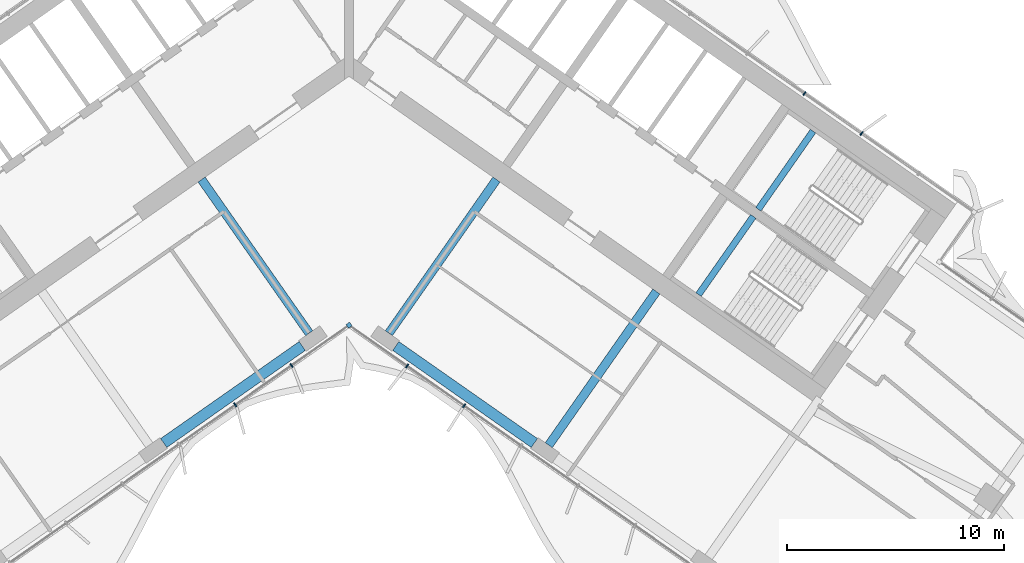
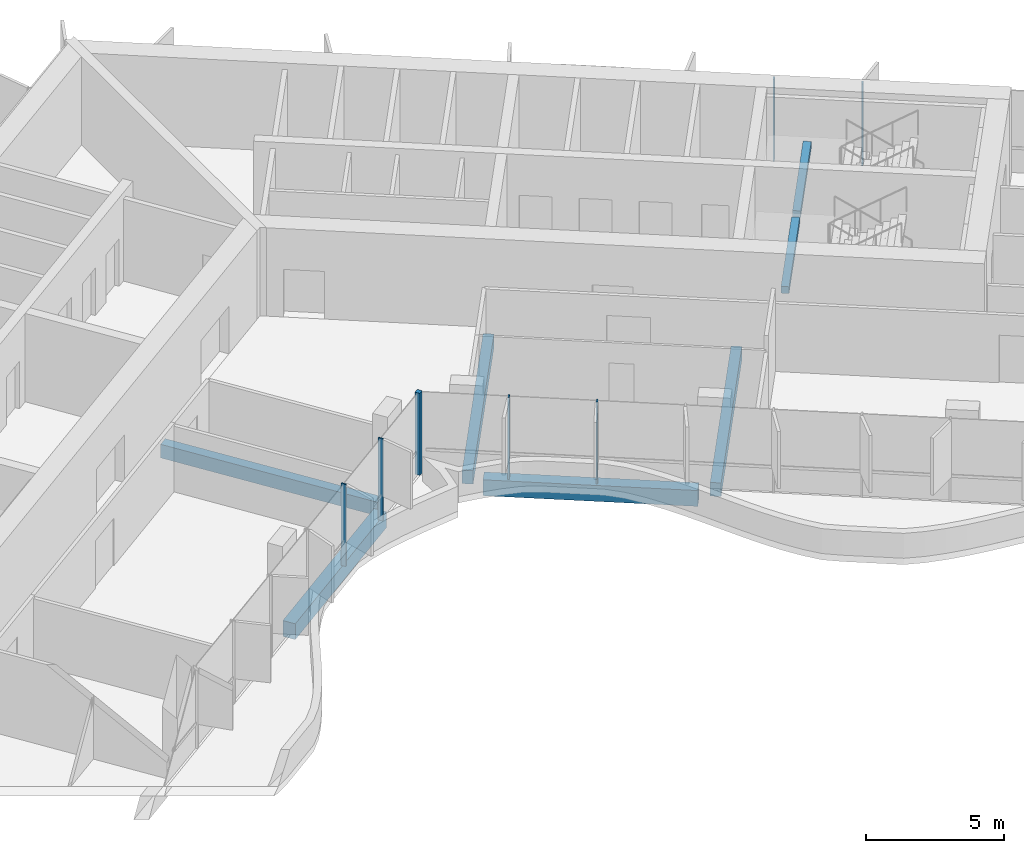
# One storey, part 6 of 21: 7 beams, 7 members, 2 elements without a shape of their own.
"""IFC4 building model written with IfcOpenShell, lengths in metres."""

import ifcopenshell
import ifcopenshell.guid

model = None  # the IFC model being written
_history = None  # IfcOwnerHistory: only IFC2X3 demands one
_inside = {}  # id of a spatial element -> (the spatial element, [elements in it])
_under = {}  # id of a project, library or spatial element -> (it, [spatial elements below it])
_declared = {}  # id of a project -> (the project, [libraries it declares])
_typed = {}  # id of a type object -> (the type object, [elements of that type])
_made_of = {}  # id of a material, layer set ... -> (it, [elements and type objects made of it])


def new_model(schema):
    """Start an empty IFC model of exactly this schema.

    Asked for "IFC4X3", IfcOpenShell would pick the latest addendum, in which some entities
    have other attributes; the version numbers below select the first issue.
    IFC2X3 requires an IfcOwnerHistory on every rooted entity: one is made here for all.
    """
    global model, _history
    if schema == "IFC4X3":
        model = ifcopenshell.file(schema_version=(4, 3, 0, 0))
    else:
        model = ifcopenshell.file(schema=schema)
    _inside.clear()
    _under.clear()
    _declared.clear()
    _typed.clear()
    _made_of.clear()
    _history = None
    if model.schema == "IFC2X3":
        org = make("IfcOrganization", Name="unknown")
        user = make(
            "IfcPersonAndOrganization",
            ThePerson=make("IfcPerson", FamilyName="unknown"),
            TheOrganization=org,
        )
        app = make(
            "IfcApplication",
            ApplicationDeveloper=org,
            Version="unknown",
            ApplicationFullName="unknown",
            ApplicationIdentifier="unknown",
        )
        _history = make(
            "IfcOwnerHistory",
            OwningUser=user,
            OwningApplication=app,
            ChangeAction="ADDED",
            CreationDate=0,
        )
    return model


def make(cls, **values):
    """One entity of the class cls with the attributes given. An attribute that is None is left unset."""
    return model.create_entity(
        cls, **{name: value for name, value in values.items() if value is not None}
    )


def rooted(cls, **values):
    """An entity with a GlobalId (a new one), such as an element, a storey or a relation."""
    return make(cls, GlobalId=ifcopenshell.guid.new(), OwnerHistory=_history, **values)


def si_unit(unit_type, name, prefix=None):
    """IfcSIUnit, for example si_unit("LENGTHUNIT", "METRE", prefix="MILLI")."""
    return make("IfcSIUnit", UnitType=unit_type, Prefix=prefix, Name=name)


def assignment(units):
    """IfcUnitAssignment: the units of a project."""
    return None if units is None else make("IfcUnitAssignment", Units=units)


def point(xyz):
    """IfcCartesianPoint."""
    return None if xyz is None else make("IfcCartesianPoint", Coordinates=xyz)


def direction(xyz):
    """IfcDirection."""
    return None if xyz is None else make("IfcDirection", DirectionRatios=xyz)


def frame(location, z_axis=None, x_axis=None):
    """IfcAxis2Placement3D, a coordinate frame: its origin and axes. An axis left out is left unset."""
    return make(
        "IfcAxis2Placement3D",
        Location=point(location),
        Axis=direction(z_axis),
        RefDirection=direction(x_axis),
    )


def frame_2d(location, x_axis=None):
    """IfcAxis2Placement2D, a coordinate frame in the plane: its origin and x axis."""
    return make(
        "IfcAxis2Placement2D", Location=point(location), RefDirection=direction(x_axis)
    )


def origin():
    """The frame at (0, 0, 0) with its axes left unset."""
    return frame((0.0, 0.0, 0.0))


def origin_2d():
    """The frame at (0, 0) in the plane with its x axis left unset."""
    return frame_2d((0.0, 0.0))


def place(relative_to, where):
    """IfcLocalPlacement: puts the frame where relative to a parent placement (None: the world)."""
    return make(
        "IfcLocalPlacement", PlacementRelTo=relative_to, RelativePlacement=where
    )


def context(
    kind, dimensions, precision=None, world=None, true_north=None, identifier=None
):
    """IfcGeometricRepresentationContext, for example the 3D "Model" context."""
    return make(
        "IfcGeometricRepresentationContext",
        ContextIdentifier=identifier,
        ContextType=kind,
        CoordinateSpaceDimension=dimensions,
        Precision=precision,
        WorldCoordinateSystem=world,
        TrueNorth=true_north,
    )


def subcontext(parent, identifier, kind, view, scale=None):
    """IfcGeometricRepresentationSubContext, for example "Body" below "Model"."""
    return make(
        "IfcGeometricRepresentationSubContext",
        ContextIdentifier=identifier,
        ContextType=kind,
        ParentContext=parent,
        TargetScale=scale,
        TargetView=view,
    )


def project(units=None, contexts=None):
    """IfcProject with its units and contexts."""
    return rooted(
        "IfcProject",
        Name="project",
        RepresentationContexts=contexts,
        UnitsInContext=assignment(units),
    )


def spatial(cls, under=None, at=None, **own):
    """A site, building, storey or space (cls), placed at a placement, below another one or the project."""
    s = rooted(cls, ObjectPlacement=at, **own)
    if under is not None:
        _under.setdefault(under.id(), (under, []))[1].append(s)
    return s


def profile(cls, at=None, kind="AREA", **sizes):
    """A parametric profile (cls). Its sizes go by their IFC names, for example OverallWidth=200.0."""
    return make(cls, ProfileType=kind, Position=at, **sizes)


def rectangle(**sizes):
    """IfcRectangleProfileDef."""
    return profile("IfcRectangleProfileDef", **sizes)


def extrude(swept, where, along, depth):
    """IfcExtrudedAreaSolid: the profile swept, set in the frame where, extruded along a direction by depth."""
    return make(
        "IfcExtrudedAreaSolid",
        SweptArea=swept,
        Position=where,
        ExtrudedDirection=direction(along),
        Depth=depth,
    )


def shape(context_of_items, identifier, shape_type, items):
    """IfcShapeRepresentation: the items that make up one representation, for example the "Body"."""
    return make(
        "IfcShapeRepresentation",
        ContextOfItems=context_of_items,
        RepresentationIdentifier=identifier,
        RepresentationType=shape_type,
        Items=items,
    )


def material(Name=None, Category=None):
    """IfcMaterial."""
    return make("IfcMaterial", Name=Name, Category=Category)


def material_profile(
    of_material, cross_section, Name=None, Category=None, Priority=None
):
    """IfcMaterialProfile: a cross section and its material."""
    return make(
        "IfcMaterialProfile",
        Name=Name,
        Material=of_material,
        Profile=cross_section,
        Priority=Priority,
        Category=Category,
    )


def profile_set(profiles, Name=None, composite=None):
    """IfcMaterialProfileSet."""
    return make(
        "IfcMaterialProfileSet",
        Name=Name,
        MaterialProfiles=profiles,
        CompositeProfile=composite,
    )


def made_of(thing, what):
    """Note that an element or type object is made of a material, layer set ...; save() writes the relation."""
    if what is not None:
        _made_of.setdefault(what.id(), (what, []))[1].append(thing)
    return thing


def type_object(cls, material=None, **own):
    """A type object (cls), such as IfcWallType, which elements share."""
    return made_of(rooted(cls, **own), material)


def element(
    cls,
    number,
    at=None,
    inside=None,
    cuts=None,
    type_object=None,
    material=None,
    context=None,
    identifier="Body",
    shape_type=None,
    held_by="IfcProductDefinitionShape",
    body=None,
    shapes=None,
    **own,
):
    """One element of the class cls, such as IfcWall. Its Tag is "e" and its number.

    at: its placement. inside: the storey or other place that contains it. cuts: it is an
    opening in that element (IfcRelVoidsElement). A single representation is given by context,
    identifier, shape_type and body (its items); several are given by shapes. held_by: the class
    of the entity that holds the representations. save() writes the other relations.
    """
    e = rooted(cls, Tag="e%d" % number, ObjectPlacement=at, **own)
    if body is not None:
        shapes = [shape(context, identifier, shape_type, body)]
    if shapes is not None:
        e.Representation = make(held_by, Representations=shapes)
    if inside is not None:
        _inside.setdefault(inside.id(), (inside, []))[1].append(e)
    if cuts is not None:
        rooted(
            "IfcRelVoidsElement", RelatingBuildingElement=cuts, RelatedOpeningElement=e
        )
    if type_object is not None:
        _typed.setdefault(type_object.id(), (type_object, []))[1].append(e)
    return made_of(e, material)


def aggregate(whole, parts):
    """IfcRelAggregates: a whole, such as a stair, and the parts it consists of."""
    return rooted("IfcRelAggregates", RelatingObject=whole, RelatedObjects=parts)


def save(model, path):
    """Write the relations noted so far, then the file.

    IfcRelAggregates (storeys below a building ...), IfcRelContainedInSpatialStructure (elements
    in a storey), IfcRelDefinesByType, IfcRelAssociatesMaterial and IfcRelDeclares: one each for
    every whole, place, type object, material and project.
    """
    for whole, parts in _under.values():
        aggregate(whole, parts)
    for where, things in _inside.values():
        rooted(
            "IfcRelContainedInSpatialStructure",
            RelatedElements=things,
            RelatingStructure=where,
        )
    for kind, things in _typed.values():
        rooted("IfcRelDefinesByType", RelatedObjects=things, RelatingType=kind)
    for what, things in _made_of.values():
        rooted("IfcRelAssociatesMaterial", RelatedObjects=things, RelatingMaterial=what)
    for by, libraries in _declared.values():
        rooted("IfcRelDeclares", RelatingContext=by, RelatedDefinitions=libraries)
    model.write(path)


model = new_model("IFC4")

# Units and contexts
model_context = context("Model", 3, precision=1e-05, world=origin(), true_north=direction((0.0, 1.0)))
body_context = subcontext(model_context, "Body", "Model", "MODEL_VIEW")
ifc_project = project(units=[si_unit("LENGTHUNIT", "METRE"), si_unit("AREAUNIT", "SQUARE_METRE"), si_unit("VOLUMEUNIT", "CUBIC_METRE"), si_unit("PLANEANGLEUNIT", "RADIAN"), si_unit("MASSUNIT", "GRAM", prefix="KILO")], contexts=[model_context])

# Site, building, storey
site_placement = place(None, origin())
site = spatial("IfcSite", under=ifc_project, at=site_placement, CompositionType="ELEMENT")
building_placement = place(site_placement, origin())
building = spatial("IfcBuilding", under=site, at=building_placement, Name="Tel Ilan Convention Tower", CompositionType="ELEMENT")
storey_placement = place(building_placement, frame((0.0, 0.0, 147.60009765625)))
storey = spatial("IfcBuildingStorey", under=building, at=storey_placement, Name="L33", CompositionType="ELEMENT", Elevation=147.60009765625)

# Beams
ifc_material_1 = material(Name="Concrete C40/50", Category="concrete")
ifc_material_profile_1 = material_profile(ifc_material_1, rectangle(XDim=0.39990234375, YDim=0.60009765625, at=origin_2d()), Name="RC 400x600")
ifc_profile_set_1 = profile_set([ifc_material_profile_1], Name="Concrete C40/50")
beam_type_1 = type_object("IfcBeamType", Name="Beam RC 400x600 Concrete C40/50", PredefinedType="BEAM", material=ifc_profile_set_1)
for number, where, z_axis, x_axis, name in (
    (1, (-1.83740234375, -13.06689453125, -0.580078125), (-0.573574099654, 0.819153680457, 0.0), (-0.819153680457, -0.573574099654, 0.0), "L33 beam W-W-F1-core"),
    (2, (1.83740234375, -13.06689453125, -0.580078125), (0.573574099654, 0.819153680457, 0.0), (-0.819153680457, 0.573574099654, 0.0), "L33 beam E-E-F1-core"),
    (3, (9.209716796875, -18.229248046875, -0.580078125), (0.573574099654, 0.819153680457, 0.0), (-0.819153680457, 0.573574099654, 0.0), "L33 beam E-E-F2-core"),
):
    element("IfcBeam", number, at=place(storey_placement, frame(where, z_axis=z_axis, x_axis=x_axis)), inside=storey, type_object=beam_type_1, Name=name, PredefinedType="BEAM", context=body_context, shape_type="SweptSolid", body=[
        extrude(rectangle(XDim=0.39990234375, YDim=0.60009765625, at=origin_2d()), origin(), (0.0, 0.0, 1.0), 8.64990234375),
    ])
ifc_material_2 = material(Name="Concrete C40/50", Category="concrete")
ifc_material_profile_2 = material_profile(ifc_material_2, rectangle(XDim=0.5, YDim=0.699951171875, at=origin_2d()), Name="RC 500x700")
ifc_profile_set_2 = profile_set([ifc_material_profile_2], Name="Concrete C40/50")
beam_type_2 = type_object("IfcBeamType", Name="Beam RC 500x700 Concrete C40/50", PredefinedType="BEAM", material=ifc_profile_set_2)
for number, where, z_axis, x_axis, name in (
    (4, (-2.15673828125, -13.656982421875, -0.630126953125), (-0.819153977895, -0.573573674866, 0.0), (0.573573674866, -0.819153977895, 0.0), "L33 beam W-W-F1-W-F2"),
    (5, (2.15673828125, -13.656982421875, -0.630126953125), (0.819153977895, -0.573573674866, 0.0), (0.573573674866, 0.819153977895, 0.0), "L33 beam E-E-F1-E-F2"),
):
    element("IfcBeam", number, at=place(storey_placement, frame(where, z_axis=z_axis, x_axis=x_axis)), inside=storey, type_object=beam_type_2, Name=name, PredefinedType="BEAM", context=body_context, shape_type="SweptSolid", body=[
        extrude(rectangle(XDim=0.5, YDim=0.699951171875, at=origin_2d()), origin(), (0.0, 0.0, 1.0), 7.800048828125),
    ])

# Curtain wall, member
ifc_material_3 = material(Name="Aluminium, bronze anodised", Category="aluminium")
curtain_wall_type_1 = type_object("IfcCurtainWallType", Name="CW4 STICK CURTAIN WALL, OFFICE TINTED GLASS", PredefinedType="NOTDEFINED", material=ifc_material_3)
curtain_wall_1_placement = place(storey_placement, origin())
curtain_wall_1 = element("IfcCurtainWall", 6, at=curtain_wall_1_placement, inside=storey, type_object=curtain_wall_type_1, Name="Curtain wall CW4-27.02", PredefinedType="NOTDEFINED")
ifc_material_4 = material(Name="Aluminium, bronze anodised", Category="aluminium")
ifc_material_profile_3 = material_profile(ifc_material_4, rectangle(XDim=0.199951171875, YDim=0.199951171875, at=origin_2d()), Name="CW CORNER MULLION 200x200")
ifc_profile_set_3 = profile_set([ifc_material_profile_3], Name="Aluminium, bronze anodised")
member_type_1 = type_object("IfcMemberType", Name="CW CORNER MULLION 200x200", PredefinedType="MULLION", material=ifc_profile_set_3)
member_1_placement = place(storey_placement, frame((0.0, -12.696044921875, 0.0), z_axis=(0.0, 0.0, 1.0), x_axis=(0.819152044289, 0.573576436351, 0.0)))
member_1 = element("IfcMember", 7, at=member_1_placement, type_object=member_type_1, Name="Corner mullion", PredefinedType="MULLION", context=body_context, shape_type="SweptSolid", body=[
    extrude(rectangle(XDim=0.199951171875, YDim=0.199951171875, at=origin_2d()), origin(), (0.0, 0.0, 1.0), 3.619873046875),
])

# Curtain wall, members
ifc_material_5 = material(Name="Aluminium, bronze anodised", Category="aluminium")
curtain_wall_type_2 = type_object("IfcCurtainWallType", Name="CW2 STICK CURTAIN WALL, SPANDREL PANELS", PredefinedType="NOTDEFINED", material=ifc_material_5)
curtain_wall_2_placement = place(storey_placement, origin())
curtain_wall_2 = element("IfcCurtainWall", 8, at=curtain_wall_2_placement, inside=storey, type_object=curtain_wall_type_2, Name="Curtain wall CW2-27.01", PredefinedType="NOTDEFINED")
ifc_material_6 = material(Name="Aluminium, bronze anodised", Category="aluminium")
ifc_material_profile_4 = material_profile(ifc_material_6, rectangle(XDim=0.06005859375, YDim=0.199951171875, at=origin_2d()), Name="CW MULLION 60x200")
ifc_profile_set_4 = profile_set([ifc_material_profile_4], Name="Aluminium, bronze anodised")
member_type_2 = type_object("IfcMemberType", Name="CW MULLION 60x200", PredefinedType="MULLION", material=ifc_profile_set_4)
member_2_placement = place(storey_placement, frame((23.63623046875, -3.854248046875, 0.0), z_axis=(0.0, 0.0, 1.0), x_axis=(-0.819152044289, 0.573576436351, 0.0)))
member_2 = element("IfcMember", 9, at=member_2_placement, type_object=member_type_2, Name="Mullion", PredefinedType="MULLION", context=body_context, shape_type="SweptSolid", body=[
    extrude(rectangle(XDim=0.06005859375, YDim=0.199951171875, at=origin_2d()), origin(), (0.0, 0.0, 1.0), 3.619873046875),
])
member_3_placement = place(storey_placement, frame((21.003662109375, -2.0107421875, 0.0), z_axis=(0.0, 0.0, 1.0), x_axis=(-0.819152044289, 0.573576436351, 0.0)))
member_3 = element("IfcMember", 10, at=member_3_placement, type_object=member_type_2, Name="Mullion", PredefinedType="MULLION", context=body_context, shape_type="SweptSolid", body=[
    extrude(rectangle(XDim=0.06005859375, YDim=0.199951171875, at=origin_2d()), origin(), (0.0, 0.0, 1.0), 3.619873046875),
])
aggregate(curtain_wall_2, [member_2, member_3])

# Member
member_4_placement = place(storey_placement, frame((-5.24755859375, -16.370361328125, 0.0), z_axis=(0.0, 0.0, 1.0), x_axis=(0.819152044289, 0.573576436351, 0.0)))
member_4 = element("IfcMember", 11, at=member_4_placement, type_object=member_type_2, Name="Mullion", PredefinedType="MULLION", context=body_context, shape_type="SweptSolid", body=[
    extrude(rectangle(XDim=0.06005859375, YDim=0.199951171875, at=origin_2d()), origin(), (0.0, 0.0, 1.0), 3.619873046875),
])

member_5_placement = place(storey_placement, frame((-2.65234375, -14.55322265625, 0.0), z_axis=(0.0, 0.0, 1.0), x_axis=(0.819152044289, 0.573576436351, 0.0)))
member_5 = element("IfcMember", 12, at=member_5_placement, type_object=member_type_2, Name="Mullion", PredefinedType="MULLION", context=body_context, shape_type="SweptSolid", body=[
    extrude(rectangle(XDim=0.06005859375, YDim=0.199951171875, at=origin_2d()), origin(), (0.0, 0.0, 1.0), 3.619873046875),
])

member_6_placement = place(storey_placement, frame((2.6826171875, -14.574462890625, 0.0), z_axis=(0.0, 0.0, 1.0), x_axis=(0.819152044289, -0.573576436351, 0.0)))
member_6 = element("IfcMember", 13, at=member_6_placement, type_object=member_type_2, Name="Mullion", PredefinedType="MULLION", context=body_context, shape_type="SweptSolid", body=[
    extrude(rectangle(XDim=0.06005859375, YDim=0.199951171875, at=origin_2d()), origin(), (0.0, 0.0, 1.0), 3.619873046875),
])

member_7_placement = place(storey_placement, frame((5.307861328125, -16.41259765625, 0.0), z_axis=(0.0, 0.0, 1.0), x_axis=(0.819152044289, -0.573576436351, 0.0)))
member_7 = element("IfcMember", 14, at=member_7_placement, type_object=member_type_2, Name="Mullion", PredefinedType="MULLION", context=body_context, shape_type="SweptSolid", body=[
    extrude(rectangle(XDim=0.06005859375, YDim=0.199951171875, at=origin_2d()), origin(), (0.0, 0.0, 1.0), 3.619873046875),
])

aggregate(curtain_wall_1, [member_4, member_5, member_1, member_6, member_7])

# Beams
ifc_material_7 = material(Name="Concrete C40/50", Category="concrete")
ifc_material_profile_5 = material_profile(ifc_material_7, rectangle(XDim=0.300048828125, YDim=0.300048828125, at=origin_2d()), Name="RC 300x300")
ifc_profile_set_5 = profile_set([ifc_material_profile_5], Name="Concrete C40/50")
beam_type_3 = type_object("IfcBeamType", Name="Landing Beam RC 300x300 Concrete C40/50", PredefinedType="BEAM", material=ifc_profile_set_5)
beam_1_placement = place(storey_placement, frame((21.39404296875, -3.7490234375, 1.599853515625), z_axis=(-0.57354426506, -0.819174569928, 0.0), x_axis=(0.819174569928, -0.57354426506, 0.0)))
element("IfcBeam", 15, at=beam_1_placement, inside=storey, type_object=beam_type_3, Name="S3 landing beam L33.1", PredefinedType="BEAM", context=body_context, shape_type="SweptSolid", body=[
    extrude(rectangle(XDim=0.300048828125, YDim=0.300048828125, at=origin_2d()), origin(), (0.0, 0.0, 1.0), 4.400146484375),
])
beam_2_placement = place(storey_placement, frame((18.640869140625, -7.68115234375, 1.599853515625), z_axis=(-0.573570334442, -0.819156316858, 0.0), x_axis=(0.819156316858, -0.573570334442, 0.0)))
element("IfcBeam", 16, at=beam_2_placement, inside=storey, type_object=beam_type_3, Name="S4 landing beam L33.1", PredefinedType="BEAM", context=body_context, shape_type="SweptSolid", body=[
    extrude(rectangle(XDim=0.300048828125, YDim=0.300048828125, at=origin_2d()), origin(), (0.0, 0.0, 1.0), 4.39990234375),
])

save(model, "model.ifc")
